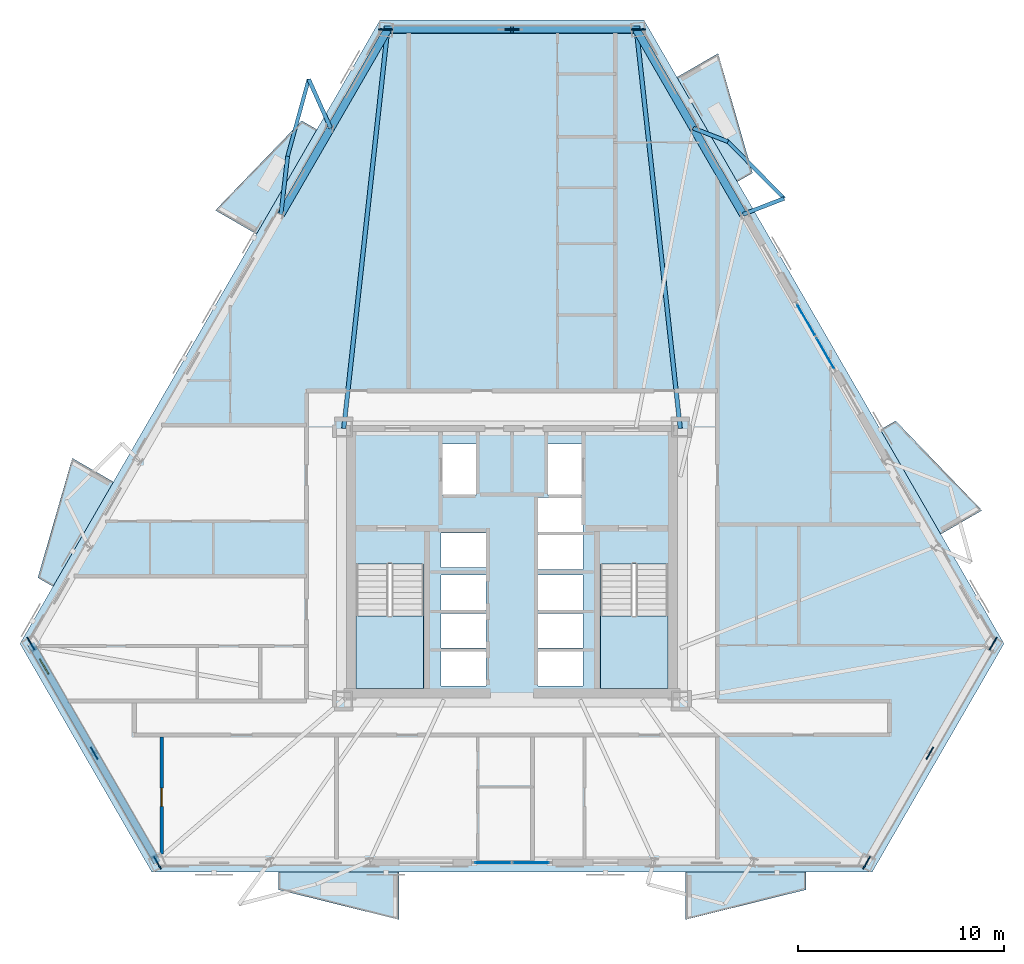
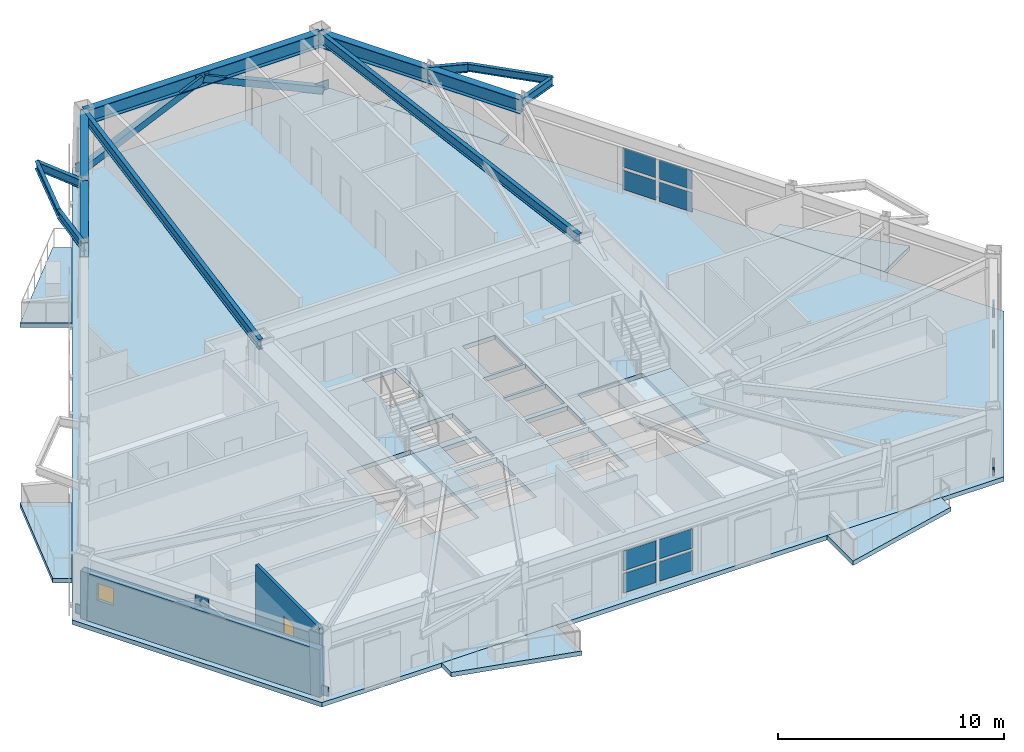
# One storey, part 6 of 15: 17 plates, 13 beams, 9 slabs, 2 members, 2 walls, 1 door, 1 window, 2 openings, 4 elements without a shape of their own.
"""IFC4 building model written with IfcOpenShell, lengths in metres."""

import ifcopenshell
import ifcopenshell.guid

model = None  # the IFC model being written
_history = None  # IfcOwnerHistory: only IFC2X3 demands one
_inside = {}  # id of a spatial element -> (the spatial element, [elements in it])
_under = {}  # id of a project, library or spatial element -> (it, [spatial elements below it])
_declared = {}  # id of a project -> (the project, [libraries it declares])
_typed = {}  # id of a type object -> (the type object, [elements of that type])
_made_of = {}  # id of a material, layer set ... -> (it, [elements and type objects made of it])


def new_model(schema):
    """Start an empty IFC model of exactly this schema.

    Asked for "IFC4X3", IfcOpenShell would pick the latest addendum, in which some entities
    have other attributes; the version numbers below select the first issue.
    IFC2X3 requires an IfcOwnerHistory on every rooted entity: one is made here for all.
    """
    global model, _history
    if schema == "IFC4X3":
        model = ifcopenshell.file(schema_version=(4, 3, 0, 0))
    else:
        model = ifcopenshell.file(schema=schema)
    _inside.clear()
    _under.clear()
    _declared.clear()
    _typed.clear()
    _made_of.clear()
    _history = None
    if model.schema == "IFC2X3":
        org = make("IfcOrganization", Name="unknown")
        user = make(
            "IfcPersonAndOrganization",
            ThePerson=make("IfcPerson", FamilyName="unknown"),
            TheOrganization=org,
        )
        app = make(
            "IfcApplication",
            ApplicationDeveloper=org,
            Version="unknown",
            ApplicationFullName="unknown",
            ApplicationIdentifier="unknown",
        )
        _history = make(
            "IfcOwnerHistory",
            OwningUser=user,
            OwningApplication=app,
            ChangeAction="ADDED",
            CreationDate=0,
        )
    return model


def make(cls, **values):
    """One entity of the class cls with the attributes given. An attribute that is None is left unset."""
    return model.create_entity(
        cls, **{name: value for name, value in values.items() if value is not None}
    )


def rooted(cls, **values):
    """An entity with a GlobalId (a new one), such as an element, a storey or a relation."""
    return make(cls, GlobalId=ifcopenshell.guid.new(), OwnerHistory=_history, **values)


def si_unit(unit_type, name, prefix=None):
    """IfcSIUnit, for example si_unit("LENGTHUNIT", "METRE", prefix="MILLI")."""
    return make("IfcSIUnit", UnitType=unit_type, Prefix=prefix, Name=name)


def assignment(units):
    """IfcUnitAssignment: the units of a project."""
    return None if units is None else make("IfcUnitAssignment", Units=units)


def point(xyz):
    """IfcCartesianPoint."""
    return None if xyz is None else make("IfcCartesianPoint", Coordinates=xyz)


def direction(xyz):
    """IfcDirection."""
    return None if xyz is None else make("IfcDirection", DirectionRatios=xyz)


def frame(location, z_axis=None, x_axis=None):
    """IfcAxis2Placement3D, a coordinate frame: its origin and axes. An axis left out is left unset."""
    return make(
        "IfcAxis2Placement3D",
        Location=point(location),
        Axis=direction(z_axis),
        RefDirection=direction(x_axis),
    )


def frame_2d(location, x_axis=None):
    """IfcAxis2Placement2D, a coordinate frame in the plane: its origin and x axis."""
    return make(
        "IfcAxis2Placement2D", Location=point(location), RefDirection=direction(x_axis)
    )


def origin():
    """The frame at (0, 0, 0) with its axes left unset."""
    return frame((0.0, 0.0, 0.0))


def origin_2d():
    """The frame at (0, 0) in the plane with its x axis left unset."""
    return frame_2d((0.0, 0.0))


def place(relative_to, where):
    """IfcLocalPlacement: puts the frame where relative to a parent placement (None: the world)."""
    return make(
        "IfcLocalPlacement", PlacementRelTo=relative_to, RelativePlacement=where
    )


def context(
    kind, dimensions, precision=None, world=None, true_north=None, identifier=None
):
    """IfcGeometricRepresentationContext, for example the 3D "Model" context."""
    return make(
        "IfcGeometricRepresentationContext",
        ContextIdentifier=identifier,
        ContextType=kind,
        CoordinateSpaceDimension=dimensions,
        Precision=precision,
        WorldCoordinateSystem=world,
        TrueNorth=true_north,
    )


def subcontext(parent, identifier, kind, view, scale=None):
    """IfcGeometricRepresentationSubContext, for example "Body" below "Model"."""
    return make(
        "IfcGeometricRepresentationSubContext",
        ContextIdentifier=identifier,
        ContextType=kind,
        ParentContext=parent,
        TargetScale=scale,
        TargetView=view,
    )


def project(units=None, contexts=None):
    """IfcProject with its units and contexts."""
    return rooted(
        "IfcProject",
        Name="project",
        RepresentationContexts=contexts,
        UnitsInContext=assignment(units),
    )


def spatial(cls, under=None, at=None, **own):
    """A site, building, storey or space (cls), placed at a placement, below another one or the project."""
    s = rooted(cls, ObjectPlacement=at, **own)
    if under is not None:
        _under.setdefault(under.id(), (under, []))[1].append(s)
    return s


def polyline(points):
    """IfcPolyline through the points."""
    return make("IfcPolyline", Points=[point(p) for p in points])


def profile(cls, at=None, kind="AREA", **sizes):
    """A parametric profile (cls). Its sizes go by their IFC names, for example OverallWidth=200.0."""
    return make(cls, ProfileType=kind, Position=at, **sizes)


def rectangle(**sizes):
    """IfcRectangleProfileDef."""
    return profile("IfcRectangleProfileDef", **sizes)


def hollow_rectangle(**sizes):
    """IfcRectangleHollowProfileDef."""
    return profile("IfcRectangleHollowProfileDef", **sizes)


def i_section(**sizes):
    """IfcIShapeProfileDef."""
    return profile("IfcIShapeProfileDef", **sizes)


def outline(outer, holes=None, kind="AREA"):
    """IfcArbitraryClosedProfileDef: a profile drawn as a closed curve; with holes, ...WithVoids."""
    if holes is None:
        return make("IfcArbitraryClosedProfileDef", ProfileType=kind, OuterCurve=outer)
    return make(
        "IfcArbitraryProfileDefWithVoids",
        ProfileType=kind,
        OuterCurve=outer,
        InnerCurves=holes,
    )


def extrude(swept, where, along, depth):
    """IfcExtrudedAreaSolid: the profile swept, set in the frame where, extruded along a direction by depth."""
    return make(
        "IfcExtrudedAreaSolid",
        SweptArea=swept,
        Position=where,
        ExtrudedDirection=direction(along),
        Depth=depth,
    )


def shape(context_of_items, identifier, shape_type, items):
    """IfcShapeRepresentation: the items that make up one representation, for example the "Body"."""
    return make(
        "IfcShapeRepresentation",
        ContextOfItems=context_of_items,
        RepresentationIdentifier=identifier,
        RepresentationType=shape_type,
        Items=items,
    )


def material(Name=None, Category=None):
    """IfcMaterial."""
    return make("IfcMaterial", Name=Name, Category=Category)


def layer(
    of_material, thickness, ventilated=None, Name=None, Category=None, Priority=None
):
    """IfcMaterialLayer: one layer of a wall or slab, of a material (None: an air gap)."""
    return make(
        "IfcMaterialLayer",
        Material=of_material,
        LayerThickness=thickness,
        IsVentilated=ventilated,
        Name=Name,
        Category=Category,
        Priority=Priority,
    )


def layer_set(layers, Name=None):
    """IfcMaterialLayerSet."""
    return make("IfcMaterialLayerSet", MaterialLayers=layers, LayerSetName=Name)


def material_profile(
    of_material, cross_section, Name=None, Category=None, Priority=None
):
    """IfcMaterialProfile: a cross section and its material."""
    return make(
        "IfcMaterialProfile",
        Name=Name,
        Material=of_material,
        Profile=cross_section,
        Priority=Priority,
        Category=Category,
    )


def profile_set(profiles, Name=None, composite=None):
    """IfcMaterialProfileSet."""
    return make(
        "IfcMaterialProfileSet",
        Name=Name,
        MaterialProfiles=profiles,
        CompositeProfile=composite,
    )


def made_of(thing, what):
    """Note that an element or type object is made of a material, layer set ...; save() writes the relation."""
    if what is not None:
        _made_of.setdefault(what.id(), (what, []))[1].append(thing)
    return thing


def type_object(cls, material=None, **own):
    """A type object (cls), such as IfcWallType, which elements share."""
    return made_of(rooted(cls, **own), material)


def element(
    cls,
    number,
    at=None,
    inside=None,
    cuts=None,
    type_object=None,
    material=None,
    context=None,
    identifier="Body",
    shape_type=None,
    held_by="IfcProductDefinitionShape",
    body=None,
    shapes=None,
    **own,
):
    """One element of the class cls, such as IfcWall. Its Tag is "e" and its number.

    at: its placement. inside: the storey or other place that contains it. cuts: it is an
    opening in that element (IfcRelVoidsElement). A single representation is given by context,
    identifier, shape_type and body (its items); several are given by shapes. held_by: the class
    of the entity that holds the representations. save() writes the other relations.
    """
    e = rooted(cls, Tag="e%d" % number, ObjectPlacement=at, **own)
    if body is not None:
        shapes = [shape(context, identifier, shape_type, body)]
    if shapes is not None:
        e.Representation = make(held_by, Representations=shapes)
    if inside is not None:
        _inside.setdefault(inside.id(), (inside, []))[1].append(e)
    if cuts is not None:
        rooted(
            "IfcRelVoidsElement", RelatingBuildingElement=cuts, RelatedOpeningElement=e
        )
    if type_object is not None:
        _typed.setdefault(type_object.id(), (type_object, []))[1].append(e)
    return made_of(e, material)


def fill(opening, filler):
    """IfcRelFillsElement: the door or window that sits in an opening."""
    return rooted(
        "IfcRelFillsElement",
        RelatingOpeningElement=opening,
        RelatedBuildingElement=filler,
    )


def aggregate(whole, parts):
    """IfcRelAggregates: a whole, such as a stair, and the parts it consists of."""
    return rooted("IfcRelAggregates", RelatingObject=whole, RelatedObjects=parts)


def save(model, path):
    """Write the relations noted so far, then the file.

    IfcRelAggregates (storeys below a building ...), IfcRelContainedInSpatialStructure (elements
    in a storey), IfcRelDefinesByType, IfcRelAssociatesMaterial and IfcRelDeclares: one each for
    every whole, place, type object, material and project.
    """
    for whole, parts in _under.values():
        aggregate(whole, parts)
    for where, things in _inside.values():
        rooted(
            "IfcRelContainedInSpatialStructure",
            RelatedElements=things,
            RelatingStructure=where,
        )
    for kind, things in _typed.values():
        rooted("IfcRelDefinesByType", RelatedObjects=things, RelatingType=kind)
    for what, things in _made_of.values():
        rooted("IfcRelAssociatesMaterial", RelatedObjects=things, RelatingMaterial=what)
    for by, libraries in _declared.values():
        rooted("IfcRelDeclares", RelatingContext=by, RelatedDefinitions=libraries)
    model.write(path)


model = new_model("IFC4")

# Units and contexts
model_context = context("Model", 3, precision=1e-05, world=origin(), true_north=direction((0.0, 1.0)))
body_context = subcontext(model_context, "Body", "Model", "MODEL_VIEW")
ifc_project = project(units=[si_unit("LENGTHUNIT", "METRE"), si_unit("AREAUNIT", "SQUARE_METRE"), si_unit("VOLUMEUNIT", "CUBIC_METRE"), si_unit("PLANEANGLEUNIT", "RADIAN"), si_unit("MASSUNIT", "GRAM", prefix="KILO")], contexts=[model_context])

# Site, building, storey
site_placement = place(None, origin())
site = spatial("IfcSite", under=ifc_project, at=site_placement, CompositionType="ELEMENT")
building_placement = place(site_placement, origin())
building = spatial("IfcBuilding", under=site, at=building_placement, Name="Oramaril Tower", CompositionType="ELEMENT")
storey_placement = place(building_placement, frame((0.0, 0.0, 93.300048828125)))
storey = spatial("IfcBuildingStorey", under=building, at=storey_placement, Name="L24", CompositionType="ELEMENT", Elevation=93.300048828125)

# Beams
ifc_material_1 = material(Name="Steel ASTM A572 Gr 50", Category="steel")
ifc_material_profile_1 = material_profile(ifc_material_1, i_section(OverallWidth=0.19091796875, OverallDepth=0.45703125, WebThickness=0.009033203125, FlangeThickness=0.014404296875, at=origin_2d()), Name="W18X50")
ifc_profile_set_1 = profile_set([ifc_material_profile_1], Name="Steel ASTM A572 Gr 50")
beam_type_1 = type_object("IfcBeamType", Name="BT-BB1", PredefinedType="BEAM", material=ifc_profile_set_1)
beam_1_placement = place(storey_placement, frame((48.693359375, 34.515380859375, 3.13134765625), z_axis=(0.932163537307, 0.362037483853, 0.0), x_axis=(-0.362037483853, 0.932163537307, 0.0)))
element("IfcBeam", 1, at=beam_1_placement, inside=storey, type_object=beam_type_1, Name="L24 Balcony Column-Framed Cantilever 04.1", PredefinedType="BEAM", context=body_context, shape_type="SweptSolid", body=[
    extrude(i_section(OverallWidth=0.19091796875, OverallDepth=0.45703125, WebThickness=0.009033203125, FlangeThickness=0.014404296875, at=origin_2d()), origin(), (0.0, 0.0, 1.0), 2.133056640625),
])
beam_2_placement = place(storey_placement, frame((46.28271484375, 38.690673828125, 3.13134765625), z_axis=(0.93238090203, -0.361477320906, 0.0), x_axis=(0.361477320906, 0.93238090203, 0.0)))
element("IfcBeam", 2, at=beam_2_placement, inside=storey, type_object=beam_type_1, Name="L24 Balcony Column-Framed Cantilever 04.2", PredefinedType="BEAM", context=body_context, shape_type="SweptSolid", body=[
    extrude(i_section(OverallWidth=0.19091796875, OverallDepth=0.45703125, WebThickness=0.009033203125, FlangeThickness=0.014404296875, at=origin_2d()), origin(), (0.0, 0.0, 1.0), 1.800048828125),
])
beam_3_placement = place(storey_placement, frame((28.71728515625, 38.690673828125, 3.13134765625), z_axis=(-0.409376697911, 0.91236545266, 0.0), x_axis=(-0.91236545266, -0.409376697911, 0.0)))
element("IfcBeam", 3, at=beam_3_placement, inside=storey, type_object=beam_type_1, Name="L24 Balcony Column-Framed Cantilever 05.1", PredefinedType="BEAM", context=body_context, shape_type="SweptSolid", body=[
    extrude(i_section(OverallWidth=0.19091796875, OverallDepth=0.45703125, WebThickness=0.009033203125, FlangeThickness=0.014404296875, at=origin_2d()), origin(), (0.0, 0.0, 1.0), 2.60009765625),
])
beam_4_placement = place(storey_placement, frame((26.306640625, 34.515380859375, 3.13134765625), z_axis=(0.113976637031, 0.993483430265, 0.0), x_axis=(-0.993483430265, 0.113976637031, 0.0)))
element("IfcBeam", 4, at=beam_4_placement, inside=storey, type_object=beam_type_1, Name="L24 Balcony Column-Framed Cantilever 05.2", PredefinedType="BEAM", context=body_context, shape_type="SweptSolid", body=[
    extrude(i_section(OverallWidth=0.19091796875, OverallDepth=0.45703125, WebThickness=0.009033203125, FlangeThickness=0.014404296875, at=origin_2d()), origin(), (0.0, 0.0, 1.0), 2.833984375),
])
ifc_material_2 = material(Name="Steel ASTM A572 Gr 50", Category="steel")
ifc_material_profile_2 = material_profile(ifc_material_2, i_section(OverallWidth=0.2099609375, OverallDepth=0.535888671875, WebThickness=0.010986328125, FlangeThickness=0.017333984375, at=origin_2d()), Name="W21X68")
ifc_profile_set_2 = profile_set([ifc_material_profile_2], Name="Steel ASTM A572 Gr 50")
beam_type_2 = type_object("IfcBeamType", Name="BT-FB2", PredefinedType="BEAM", material=ifc_profile_set_2)
for number, where, z_axis, x_axis, name in (
    (5, (45.64990234375, 24.14990234375, 3.092041015625), (-0.109223273959, 0.994017241513, 0.0), (-0.994017241513, -0.109223273959, 0.0), "L24 Radial Primary Beam RB-05"),
    (6, (29.35009765625, 24.14990234375, 3.092041015625), (0.109223273959, 0.994017241513, 0.0), (-0.994017241513, 0.109223273959, 0.0), "L24 Radial Primary Beam RB-06"),
):
    element("IfcBeam", number, at=place(storey_placement, frame(where, z_axis=z_axis, x_axis=x_axis)), inside=storey, type_object=beam_type_2, Name=name, PredefinedType="BEAM", context=body_context, shape_type="SweptSolid", body=[
        extrude(i_section(OverallWidth=0.2099609375, OverallDepth=0.535888671875, WebThickness=0.010986328125, FlangeThickness=0.017333984375, at=origin_2d()), origin(), (0.0, 0.0, 1.0), 19.4287109375),
    ])
ifc_material_3 = material(Name="Steel ASTM A572 Gr 50", Category="steel")
ifc_material_profile_3 = material_profile(ifc_material_3, i_section(OverallWidth=0.177978515625, OverallDepth=0.404052734375, WebThickness=0.007568359375, FlangeThickness=0.010986328125, at=origin_2d()), Name="W16X36")
ifc_profile_set_3 = profile_set([ifc_material_profile_3], Name="Steel ASTM A572 Gr 50")
beam_type_3 = type_object("IfcBeamType", Name="BT-SB1", PredefinedType="BEAM", material=ifc_profile_set_3)
beam_5_placement = place(storey_placement, frame((50.681640625, 35.28759765625, 3.157958984375), z_axis=(-0.702994511648, 0.71119527318, 0.0), x_axis=(-0.71119527318, -0.702994511648, 0.0)))
element("IfcBeam", 7, at=beam_5_placement, inside=storey, type_object=beam_type_3, Name="L24 Balcony Edge Tie Beam 04", PredefinedType="BEAM", context=body_context, shape_type="SweptSolid", body=[
    extrude(i_section(OverallWidth=0.177978515625, OverallDepth=0.404052734375, WebThickness=0.007568359375, FlangeThickness=0.010986328125, at=origin_2d()), origin(), (0.0, 0.0, 1.0), 3.8701171875),
])
beam_6_placement = place(storey_placement, frame((27.65283203125, 41.06298828125, 3.157958984375), z_axis=(-0.264398328629, -0.964413564721, 0.0), x_axis=(0.964413564721, -0.264398328629, 0.0)))
element("IfcBeam", 8, at=beam_6_placement, inside=storey, type_object=beam_type_3, Name="L24 Balcony Edge Tie Beam 05", PredefinedType="BEAM", context=body_context, shape_type="SweptSolid", body=[
    extrude(i_section(OverallWidth=0.177978515625, OverallDepth=0.404052734375, WebThickness=0.007568359375, FlangeThickness=0.010986328125, at=origin_2d()), origin(), (0.0, 0.0, 1.0), 3.869873046875),
])
ifc_material_4 = material(Name="Steel ASTM A572 Gr 50", Category="steel")
ifc_material_profile_4 = material_profile(ifc_material_4, i_section(OverallWidth=0.381103515625, OverallDepth=0.77197265625, WebThickness=0.0166015625, FlangeThickness=0.027099609375, at=origin_2d()), Name="W30X173")
ifc_profile_set_4 = profile_set([ifc_material_profile_4], Name="Steel ASTM A572 Gr 50")
beam_type_4 = type_object("IfcBeamType", Name="BT-SP2", PredefinedType="SPANDREL", material=ifc_profile_set_4)
beam_7_placement = place(storey_placement, frame((48.693359375, 34.515380859375, 2.973876953125), z_axis=(-0.500005913176, 0.866021989784, 0.0), x_axis=(-0.866021989784, -0.500005913176, 0.0)))
element("IfcBeam", 9, at=beam_7_placement, inside=storey, type_object=beam_type_4, Name="L24 Perimeter Spandrel 11", PredefinedType="SPANDREL", context=body_context, shape_type="SweptSolid", body=[
    extrude(i_section(OverallWidth=0.381103515625, OverallDepth=0.77197265625, WebThickness=0.0166015625, FlangeThickness=0.027099609375, at=origin_2d()), origin(), (0.0, 0.0, 1.0), 4.8212890625),
])
beam_8_placement = place(storey_placement, frame((46.28271484375, 38.690673828125, 2.973876953125), z_axis=(-0.499989664371, 0.86603137098, 0.0), x_axis=(-0.86603137098, -0.499989664371, 0.0)))
element("IfcBeam", 10, at=beam_8_placement, inside=storey, type_object=beam_type_4, Name="L24 Perimeter Spandrel 12", PredefinedType="SPANDREL", context=body_context, shape_type="SweptSolid", body=[
    extrude(i_section(OverallWidth=0.381103515625, OverallDepth=0.77197265625, WebThickness=0.0166015625, FlangeThickness=0.027099609375, at=origin_2d()), origin(), (0.0, 0.0, 1.0), 5.509765625),
])
beam_9_placement = place(storey_placement, frame((43.52783203125, 43.46240234375, 2.973876953125), z_axis=(-1.0, 0.0, 0.0), x_axis=(0.0, -1.0, 0.0)))
element("IfcBeam", 11, at=beam_9_placement, inside=storey, type_object=beam_type_4, Name="L24 Perimeter Spandrel 13", PredefinedType="SPANDREL", context=body_context, shape_type="SweptSolid", body=[
    extrude(i_section(OverallWidth=0.381103515625, OverallDepth=0.77197265625, WebThickness=0.0166015625, FlangeThickness=0.027099609375, at=origin_2d()), origin(), (0.0, 0.0, 1.0), 12.0556640625),
])
beam_10_placement = place(storey_placement, frame((31.47216796875, 43.46240234375, 2.973876953125), z_axis=(-0.499989664371, -0.86603137098, 0.0), x_axis=(0.86603137098, -0.499989664371, 0.0)))
element("IfcBeam", 12, at=beam_10_placement, inside=storey, type_object=beam_type_4, Name="L24 Perimeter Spandrel 14", PredefinedType="SPANDREL", context=body_context, shape_type="SweptSolid", body=[
    extrude(i_section(OverallWidth=0.381103515625, OverallDepth=0.77197265625, WebThickness=0.0166015625, FlangeThickness=0.027099609375, at=origin_2d()), origin(), (0.0, 0.0, 1.0), 5.509765625),
])
beam_11_placement = place(storey_placement, frame((28.71728515625, 38.690673828125, 2.973876953125), z_axis=(-0.500005913176, -0.866021989784, 0.0), x_axis=(0.866021989784, -0.500005913176, 0.0)))
element("IfcBeam", 13, at=beam_11_placement, inside=storey, type_object=beam_type_4, Name="L24 Perimeter Spandrel 15", PredefinedType="SPANDREL", context=body_context, shape_type="SweptSolid", body=[
    extrude(i_section(OverallWidth=0.381103515625, OverallDepth=0.77197265625, WebThickness=0.0166015625, FlangeThickness=0.027099609375, at=origin_2d()), origin(), (0.0, 0.0, 1.0), 4.8212890625),
])

# Members
ifc_material_5 = material(Name="Steel ASTM A572 Gr 50", Category="steel")
ifc_material_profile_5 = material_profile(ifc_material_5, hollow_rectangle(XDim=0.35009765625, YDim=0.35009765625, WallThickness=0.01611328125, at=origin_2d()), Name="HSS350X350X16")
ifc_profile_set_5 = profile_set([ifc_material_profile_5], Name="Steel ASTM A572 Gr 50")
member_type = type_object("IfcMemberType", Name="MT-KB1", PredefinedType="BRACE", material=ifc_profile_set_5)
for number, where, z_axis, x_axis, name in (
    (14, (43.624755859375, 43.4716796875, 0.179931640625), (-0.909807997201, 0.0, 0.415029406464), (0.0, -1.0, 0.0), "L24 Perimeter Chevron Brace KB-3A"),
    (15, (31.375244140625, 43.4716796875, 0.179931640625), (0.909807997201, 0.0, 0.415029406464), (0.0, 1.0, 0.0), "L24 Perimeter Chevron Brace KB-3B"),
):
    element("IfcMember", number, at=place(storey_placement, frame(where, z_axis=z_axis, x_axis=x_axis)), inside=storey, type_object=member_type, Name=name, PredefinedType="BRACE", context=body_context, shape_type="SweptSolid", body=[
        extrude(hollow_rectangle(XDim=0.35009765625, YDim=0.35009765625, WallThickness=0.01611328125, at=origin_2d()), origin(), (0.0, 0.0, 1.0), 6.73193359375),
    ])

# Curtain wall, plates
ifc_material_6 = material(Name="Anodised Aluminium 6063-T6", Category="aluminium")
ifc_layer_1 = layer(ifc_material_6, 0.179931640625)
ifc_layer_set_1 = layer_set([ifc_layer_1], Name="CWT-SYS3")
curtain_wall_type = type_object("IfcCurtainWallType", Name="CWT-SYS3", PredefinedType="NOTDEFINED", material=ifc_layer_set_1)
curtain_wall_1_placement = place(storey_placement, origin())
curtain_wall_1 = element("IfcCurtainWall", 16, at=curtain_wall_1_placement, inside=storey, type_object=curtain_wall_type, Name="L24 Unitised Curtain Wall CW-3", PredefinedType="NOTDEFINED")
ifc_material_7 = material(Name="Coastal Low-E Insulated Glass", Category="glass")
ifc_layer_2 = layer(ifc_material_7, 0.035888671875)
ifc_layer_set_2 = layer_set([ifc_layer_2], Name="PLT-CWP3")
plate_type_1 = type_object("IfcPlateType", Name="PLT-CWP3", PredefinedType="CURTAIN_PANEL", material=ifc_layer_set_2)
plate_1_placement = place(storey_placement, frame((36.570068359375, 3.110107421875, 0.16015625), z_axis=(0.0, 0.0, 1.0), x_axis=(1.0, 0.0, 0.0)))
plate_1 = element("IfcPlate", 17, at=plate_1_placement, type_object=plate_type_1, Name="CW-3 panel 1.1", PredefinedType="CURTAIN_PANEL", context=body_context, shape_type="SweptSolid", body=[
    extrude(rectangle(XDim=1.679931640625, YDim=0.035888671875, at=origin_2d()), origin(), (0.0, 0.0, 1.0), 1.049072265625),
])
plate_2_placement = place(storey_placement, frame((36.570068359375, 3.110107421875, 1.369140625), z_axis=(0.0, 0.0, 1.0), x_axis=(1.0, 0.0, 0.0)))
plate_2 = element("IfcPlate", 18, at=plate_2_placement, type_object=plate_type_1, Name="CW-3 panel 1.2", PredefinedType="CURTAIN_PANEL", context=body_context, shape_type="SweptSolid", body=[
    extrude(rectangle(XDim=1.679931640625, YDim=0.035888671875, at=origin_2d()), origin(), (0.0, 0.0, 1.0), 1.049072265625),
])
plate_3_placement = place(storey_placement, frame((38.429931640625, 3.110107421875, 0.16015625), z_axis=(0.0, 0.0, 1.0), x_axis=(1.0, 0.0, 0.0)))
plate_3 = element("IfcPlate", 19, at=plate_3_placement, type_object=plate_type_1, Name="CW-3 panel 2.1", PredefinedType="CURTAIN_PANEL", context=body_context, shape_type="SweptSolid", body=[
    extrude(rectangle(XDim=1.679931640625, YDim=0.035888671875, at=origin_2d()), origin(), (0.0, 0.0, 1.0), 1.049072265625),
])
plate_4_placement = place(storey_placement, frame((38.429931640625, 3.110107421875, 1.369140625), z_axis=(0.0, 0.0, 1.0), x_axis=(1.0, 0.0, 0.0)))
plate_4 = element("IfcPlate", 20, at=plate_4_placement, type_object=plate_type_1, Name="CW-3 panel 2.2", PredefinedType="CURTAIN_PANEL", context=body_context, shape_type="SweptSolid", body=[
    extrude(rectangle(XDim=1.679931640625, YDim=0.035888671875, at=origin_2d()), origin(), (0.0, 0.0, 1.0), 1.049072265625),
])
aggregate(curtain_wall_1, [plate_1, plate_2, plate_3, plate_4])

curtain_wall_2_placement = place(storey_placement, origin())
curtain_wall_2 = element("IfcCurtainWall", 21, at=curtain_wall_2_placement, inside=storey, type_object=curtain_wall_type, Name="L24 Unitised Curtain Wall CW-3", PredefinedType="NOTDEFINED")
plate_5_placement = place(storey_placement, frame((52.6787109375, 27.78955078125, 0.16015625), z_axis=(0.0, 0.0, 1.0), x_axis=(-0.499999897278, 0.866025463091, 0.0)))
plate_5 = element("IfcPlate", 22, at=plate_5_placement, type_object=plate_type_1, Name="CW-3 panel 1.1", PredefinedType="CURTAIN_PANEL", context=body_context, shape_type="SweptSolid", body=[
    extrude(rectangle(XDim=1.679931640625, YDim=0.035888671875, at=origin_2d()), origin(), (0.0, 0.0, 1.0), 1.049072265625),
])
plate_6_placement = place(storey_placement, frame((52.6787109375, 27.78955078125, 1.369140625), z_axis=(0.0, 0.0, 1.0), x_axis=(-0.499999897278, 0.866025463091, 0.0)))
plate_6 = element("IfcPlate", 23, at=plate_6_placement, type_object=plate_type_1, Name="CW-3 panel 1.2", PredefinedType="CURTAIN_PANEL", context=body_context, shape_type="SweptSolid", body=[
    extrude(rectangle(XDim=1.679931640625, YDim=0.035888671875, at=origin_2d()), origin(), (0.0, 0.0, 1.0), 1.049072265625),
])
plate_7_placement = place(storey_placement, frame((51.748779296875, 29.400390625, 0.16015625), z_axis=(0.0, 0.0, 1.0), x_axis=(-0.499999897278, 0.866025463091, 0.0)))
plate_7 = element("IfcPlate", 24, at=plate_7_placement, type_object=plate_type_1, Name="CW-3 panel 2.1", PredefinedType="CURTAIN_PANEL", context=body_context, shape_type="SweptSolid", body=[
    extrude(rectangle(XDim=1.679931640625, YDim=0.035888671875, at=origin_2d()), origin(), (0.0, 0.0, 1.0), 1.049072265625),
])
plate_8_placement = place(storey_placement, frame((51.748779296875, 29.400390625, 1.369140625), z_axis=(0.0, 0.0, 1.0), x_axis=(-0.499999897278, 0.866025463091, 0.0)))
plate_8 = element("IfcPlate", 25, at=plate_8_placement, type_object=plate_type_1, Name="CW-3 panel 2.2", PredefinedType="CURTAIN_PANEL", context=body_context, shape_type="SweptSolid", body=[
    extrude(rectangle(XDim=1.679931640625, YDim=0.035888671875, at=origin_2d()), origin(), (0.0, 0.0, 1.0), 1.049072265625),
])
aggregate(curtain_wall_2, [plate_5, plate_6, plate_7, plate_8])

# Plates
ifc_material_8 = material(Name="Steel ASTM A572 Gr 50", Category="steel")
ifc_layer_3 = layer(ifc_material_8, 0.06005859375)
ifc_layer_set_3 = layer_set([ifc_layer_3], Name="PLT-G60")
plate_type_2 = type_object("IfcPlateType", Name="PLT-G60", PredefinedType="USERDEFINED", material=ifc_layer_set_3)
for number, where, z_axis, x_axis, name in (
    (26, (17.259521484375, 8.4140625, 2.73388671875), (0.0, 0.0, 1.0), (0.5, -0.866025403784, 0.0), "L24 Chevron Brace Gusset Plate BN-1"),
    (27, (14.197265625, 13.71826171875, 0.099853515625), (0.0, 0.0, 1.0), (0.5, -0.866025403784, 0.0), "L24 Chevron Brace Gusset Plate BN-1"),
    (28, (20.322021484375, 3.110107421875, 0.099853515625), (0.0, 0.0, 1.0), (0.5, -0.866025403784, 0.0), "L24 Chevron Brace Gusset Plate BN-1"),
    (29, (57.740478515625, 8.4140625, 2.73388671875), (0.0, 0.0, 1.0), (0.5, 0.866025403784, 0.0), "L24 Chevron Brace Gusset Plate BN-1"),
    (30, (54.677978515625, 3.110107421875, 0.099853515625), (0.0, 0.0, 1.0), (0.5, 0.866025403784, 0.0), "L24 Chevron Brace Gusset Plate BN-1"),
    (31, (60.802734375, 13.71826171875, 0.099853515625), (0.0, 0.0, 1.0), (0.5, 0.866025403784, 0.0), "L24 Chevron Brace Gusset Plate BN-1"),
    (32, (37.5, 43.4716796875, 2.73388671875), (0.0, 0.0, 1.0), (-1.0, 0.0, 0.0), "L24 Chevron Brace Gusset Plate BN-1"),
    (33, (43.624755859375, 43.4716796875, 0.099853515625), (0.0, 0.0, 1.0), (-1.0, 0.0, 0.0), "L24 Chevron Brace Gusset Plate BN-1"),
    (34, (31.375244140625, 43.4716796875, 0.099853515625), (0.0, 0.0, 1.0), (-1.0, 0.0, 0.0), "L24 Chevron Brace Gusset Plate BN-1"),
):
    element("IfcPlate", number, at=place(storey_placement, frame(where, z_axis=z_axis, x_axis=x_axis)), inside=storey, type_object=plate_type_2, Name=name, ObjectType="GUSSET", PredefinedType="USERDEFINED", context=body_context, shape_type="SweptSolid", body=[
        extrude(rectangle(XDim=0.679931640625, YDim=0.06005859375, at=origin_2d()), origin(), (0.0, 0.0, 1.0), 0.47998046875),
    ])

# Slabs
ifc_material_9 = material(Name="Concrete C40/50", Category="concrete")
ifc_layer_4 = layer(ifc_material_9, 0.199951171875)
ifc_layer_set_4 = layer_set([ifc_layer_4], Name="SLT-BAL20")
slab_type_1 = type_object("IfcSlabType", Name="SLT-BAL20", PredefinedType="FLOOR", material=ifc_layer_set_4)
slab_1_placement = place(storey_placement, frame((0.0, 0.0, -0.239990234375)))
element("IfcSlab", 35, at=slab_1_placement, inside=storey, type_object=slab_type_1, Name="L24 Cantilevered Balcony Slab L24-BAL-S2", PredefinedType="FLOOR", context=body_context, shape_type="SweptSolid", body=[
    extrude(outline(polyline([(45.893798828125, 2.652099609375), (51.74365234375, 2.652099609375), (51.74365234375, 1.800048828125), (45.893798828125, 0.35009765625), (45.893798828125, 2.652099609375)])), origin(), (0.0, 0.0, 1.0), 0.239990234375),
])
slab_2_placement = place(storey_placement, frame((0.0, 0.0, -0.239990234375)))
element("IfcSlab", 36, at=slab_2_placement, inside=storey, type_object=slab_type_1, Name="L24 Cantilevered Balcony Slab L24-BAL-NE1", PredefinedType="FLOOR", context=body_context, shape_type="SweptSolid", body=[
    extrude(outline(polyline([(58.269775390625, 19.021728515625), (55.3447265625, 24.087890625), (56.08251953125, 24.513916015625), (60.263427734375, 20.172607421875), (58.269775390625, 19.021728515625)])), origin(), (0.0, 0.0, 1.0), 0.239990234375),
])
slab_3_placement = place(storey_placement, frame((0.0, 0.0, -0.239990234375)))
element("IfcSlab", 37, at=slab_3_placement, inside=storey, type_object=slab_type_1, Name="L24 Cantilevered Balcony Slab L24-BAL-NW2", PredefinedType="FLOOR", context=body_context, shape_type="SweptSolid", body=[
    extrude(outline(polyline([(18.192626953125, 21.5546875), (15.267578125, 16.488525390625), (14.52978515625, 16.91455078125), (16.19921875, 22.705810546875), (18.192626953125, 21.5546875)])), origin(), (0.0, 0.0, 1.0), 0.239990234375),
])
ifc_material_10 = material(Name="Concrete C50/60", Category="concrete")
ifc_layer_5 = layer(ifc_material_10, 0.239990234375)
ifc_layer_set_5 = layer_set([ifc_layer_5], Name="SLT-FLR24")
slab_type_2 = type_object("IfcSlabType", Name="SLT-FLR24", PredefinedType="FLOOR", material=ifc_layer_set_5)
slab_4_placement = place(storey_placement, frame((0.0, 0.0, -0.239990234375)))
element("IfcSlab", 38, at=slab_4_placement, inside=storey, type_object=slab_type_2, Name="L24 Structural Floor Slab", PredefinedType="FLOOR", context=body_context, shape_type="SweptSolid", body=[
    extrude(outline(polyline([(13.666015625, 13.71826171875), (20.056396484375, 2.64990234375), (54.943603515625, 2.64990234375), (61.333984375, 13.71826171875), (43.890380859375, 43.931640625), (31.109619140625, 43.931640625), (13.666015625, 13.71826171875)]), holes=[polyline([(29.949951171875, 17.58935546875), (29.949951171875, 11.550048828125), (33.219970703125, 11.550048828125), (33.219970703125, 17.58935546875), (29.949951171875, 17.58935546875)]), polyline([(41.780029296875, 17.58935546875), (41.780029296875, 11.550048828125), (45.050048828125, 11.550048828125), (45.050048828125, 17.58935546875), (41.780029296875, 17.58935546875)]), polyline([(34.110107421875, 20.909912109375), (35.7900390625, 20.909912109375), (35.7900390625, 23.389892578125), (34.110107421875, 23.389892578125), (34.110107421875, 20.909912109375)]), polyline([(39.2099609375, 20.909912109375), (40.889892578125, 20.909912109375), (40.889892578125, 23.389892578125), (39.2099609375, 23.389892578125), (39.2099609375, 20.909912109375)]), polyline([(34.06005859375, 11.659912109375), (36.239990234375, 11.659912109375), (36.239990234375, 13.340087890625), (34.06005859375, 13.340087890625), (34.06005859375, 11.659912109375)]), polyline([(34.06005859375, 13.510009765625), (36.239990234375, 13.510009765625), (36.239990234375, 15.18994140625), (34.06005859375, 15.18994140625), (34.06005859375, 13.510009765625)]), polyline([(34.06005859375, 15.360107421875), (36.239990234375, 15.360107421875), (36.239990234375, 17.0400390625), (34.06005859375, 17.0400390625), (34.06005859375, 15.360107421875)]), polyline([(38.760009765625, 11.659912109375), (40.93994140625, 11.659912109375), (40.93994140625, 13.340087890625), (38.760009765625, 13.340087890625), (38.760009765625, 11.659912109375)]), polyline([(38.760009765625, 13.510009765625), (40.93994140625, 13.510009765625), (40.93994140625, 15.18994140625), (38.760009765625, 15.18994140625), (38.760009765625, 13.510009765625)]), polyline([(38.760009765625, 15.360107421875), (40.93994140625, 15.360107421875), (40.93994140625, 17.0400390625), (38.760009765625, 17.0400390625), (38.760009765625, 15.360107421875)]), polyline([(34.06005859375, 17.409912109375), (36.239990234375, 17.409912109375), (36.239990234375, 19.090087890625), (34.06005859375, 19.090087890625), (34.06005859375, 17.409912109375)]), polyline([(38.760009765625, 17.31005859375), (40.93994140625, 17.31005859375), (40.93994140625, 18.989990234375), (38.760009765625, 18.989990234375), (38.760009765625, 17.31005859375)]), polyline([(38.760009765625, 19.110107421875), (40.93994140625, 19.110107421875), (40.93994140625, 20.7900390625), (38.760009765625, 20.7900390625), (38.760009765625, 19.110107421875)])]), origin(), (0.0, 0.0, 1.0), 0.239990234375),
])

# Stair, slab
ifc_material_11 = material(Name="Concrete C50/60", Category="concrete")
stair_type = type_object("IfcStairType", Name="STT-DG-3600", PredefinedType="HALF_TURN_STAIR", material=ifc_material_11)
stair_1_placement = place(storey_placement, origin())
stair_1 = element("IfcStair", 39, at=stair_1_placement, inside=storey, type_object=stair_type, Name="L24 Protected PFP Exit Stair ST-1", PredefinedType="HALF_TURN_STAIR")
ifc_material_12 = material(Name="Concrete C50/60", Category="concrete")
ifc_layer_6 = layer(ifc_material_12, 0.199951171875)
ifc_layer_set_6 = layer_set([ifc_layer_6], Name="SLT-LND20")
slab_type_3 = type_object("IfcSlabType", Name="SLT-LND20", PredefinedType="LANDING", material=ifc_layer_set_6)
slab_5_placement = place(storey_placement, frame((0.0, 0.0, 1.599853515625)))
slab_5 = element("IfcSlab", 40, at=slab_5_placement, type_object=slab_type_3, Name="ST-1 landing 1", PredefinedType="LANDING", context=body_context, shape_type="SweptSolid", body=[
    extrude(outline(polyline([(29.949951171875, 15.070068359375), (29.949951171875, 11.550048828125), (33.219970703125, 11.550048828125), (33.219970703125, 15.070068359375), (29.949951171875, 15.070068359375)])), origin(), (0.0, 0.0, 1.0), 0.2001953125),
])
aggregate(stair_1, [slab_5])

stair_2_placement = place(storey_placement, origin())
stair_2 = element("IfcStair", 41, at=stair_2_placement, inside=storey, type_object=stair_type, Name="L24 Protected PFP Exit Stair ST-2", PredefinedType="HALF_TURN_STAIR")
slab_6_placement = place(storey_placement, frame((0.0, 0.0, 1.599853515625)))
slab_6 = element("IfcSlab", 42, at=slab_6_placement, type_object=slab_type_3, Name="ST-2 landing 1", PredefinedType="LANDING", context=body_context, shape_type="SweptSolid", body=[
    extrude(outline(polyline([(41.780029296875, 15.070068359375), (41.780029296875, 11.550048828125), (45.050048828125, 11.550048828125), (45.050048828125, 15.070068359375), (41.780029296875, 15.070068359375)])), origin(), (0.0, 0.0, 1.0), 0.2001953125),
])
aggregate(stair_2, [slab_6])

# Slabs
ifc_material_13 = material(Name="Concrete C40/50", Category="concrete")
ifc_layer_7 = layer(ifc_material_13, 0.18994140625)
ifc_layer_set_7 = layer_set([ifc_layer_7], Name="SLT-PLN19")
slab_type_4 = type_object("IfcSlabType", Name="SLT-PLN19", PredefinedType="FLOOR", material=ifc_layer_set_7)
slab_7_placement = place(storey_placement, frame((0.0, 0.0, -0.239990234375)))
element("IfcSlab", 43, at=slab_7_placement, inside=storey, type_object=slab_type_4, Name="L24 Tree Planter Balcony Slab L24-BAL-S1", PredefinedType="FLOOR", context=body_context, shape_type="SweptSolid", body=[
    extrude(outline(polyline([(26.181396484375, 2.652099609375), (32.03125, 2.652099609375), (32.03125, 0.35009765625), (26.181396484375, 1.800048828125), (26.181396484375, 2.652099609375)])), origin(), (0.0, 0.0, 1.0), 0.239990234375),
])
slab_8_placement = place(storey_placement, frame((0.0, 0.0, -0.239990234375)))
element("IfcSlab", 44, at=slab_8_placement, inside=storey, type_object=slab_type_4, Name="L24 Tree Planter Balcony Slab L24-BAL-NE2", PredefinedType="FLOOR", context=body_context, shape_type="SweptSolid", body=[
    extrude(outline(polyline([(48.41357421875, 36.09326171875), (45.488525390625, 41.159423828125), (47.482177734375, 42.310302734375), (49.1513671875, 36.519287109375), (48.41357421875, 36.09326171875)])), origin(), (0.0, 0.0, 1.0), 0.239990234375),
])
slab_9_placement = place(storey_placement, frame((0.0, 0.0, -0.239990234375)))
element("IfcSlab", 45, at=slab_9_placement, inside=storey, type_object=slab_type_4, Name="L24 Tree Planter Balcony Slab L24-BAL-NW1", PredefinedType="FLOOR", context=body_context, shape_type="SweptSolid", body=[
    extrude(outline(polyline([(28.048828125, 38.626220703125), (25.123779296875, 33.56005859375), (23.13037109375, 34.7109375), (27.31103515625, 39.05224609375), (28.048828125, 38.626220703125)])), origin(), (0.0, 0.0, 1.0), 0.239990234375),
])

# Wall, opening, window
ifc_material_14 = material(Name="Warm Cream Limestone", Category="masonry")
ifc_layer_8 = layer(ifc_material_14, 0.340087890625)
ifc_layer_set_8 = layer_set([ifc_layer_8], Name="WT-EXT34")
wall_type_1 = type_object("IfcWallType", Name="WT-EXT34", PredefinedType="SOLIDWALL", material=ifc_layer_set_8)
wall_1_placement = place(storey_placement, frame((14.197265625, 13.71826171875, 0.0), z_axis=(0.0, 0.0, 1.0), x_axis=(0.500008273126, -0.86602062724, 0.0)))
wall_1 = element("IfcWall", 46, at=wall_1_placement, inside=storey, type_object=wall_type_1, Name="L24 Tower Limestone Facade Wall 1M", PredefinedType="SOLIDWALL", context=body_context, shape_type="SweptSolid", body=[
    extrude(rectangle(XDim=12.249267578125, YDim=0.340087890625, at=frame_2d((6.12451171875, 0.0))), origin(), (0.0, 0.0, 1.0), 2.577880859375),
])
opening_1_placement = place(wall_1_placement, frame((0.85205078125, 0.0, 1.280029296875)))
opening_1 = element("IfcOpeningElement", 47, at=opening_1_placement, cuts=wall_1, Name="Opening WN-13", PredefinedType="OPENING", context=body_context, shape_type="SweptSolid", body=[
    extrude(rectangle(XDim=0.85009765625, YDim=0.919921875, at=frame_2d((0.425048828125, 0.4599609375))), frame((0.0, 0.169921875, 0.0), z_axis=(0.0, -1.0, 0.0), x_axis=(1.0, 0.0, 0.0)), (0.0, 0.0, 1.0), 0.340087890625),
])
ifc_material_15 = material(Name="Coastal Low-E Insulated Glass", Category="glass")
window_type = type_object("IfcWindowType", Name="WNT-13", PartitioningType="SINGLE_PANEL", PredefinedType="WINDOW", material=ifc_material_15)
window_placement = place(opening_1_placement, origin())
window = element("IfcWindow", 48, at=window_placement, inside=storey, type_object=window_type, Name="L24 Apartment Bedroom Window WN-13", OverallHeight=0.919921875, OverallWidth=0.85009765625, PartitioningType="SINGLE_PANEL", PredefinedType="WINDOW", context=body_context, shape_type="SweptSolid", body=[
    extrude(rectangle(XDim=0.85009765625, YDim=0.919921875, at=frame_2d((0.425048828125, 0.4599609375))), frame((0.0, 0.030029296875, 0.0), z_axis=(0.0, -1.0, 0.0), x_axis=(1.0, 0.0, 0.0)), (0.0, 0.0, 1.0), 0.06005859375),
])
fill(opening_1, window)

# Wall, opening, door
ifc_material_16 = material(Name="Acoustic Gypsum Board Partition")
ifc_layer_9 = layer(ifc_material_16, 0.159912109375)
ifc_layer_set_9 = layer_set([ifc_layer_9], Name="WT-PT16")
wall_type_2 = type_object("IfcWallType", Name="WT-PT16", PredefinedType="PARTITIONING", material=ifc_layer_set_9)
wall_2_placement = place(storey_placement, frame((20.530029296875, 3.519287109375, 0.0), z_axis=(0.0, 0.0, 1.0), x_axis=(0.0, 1.0, 0.0)))
wall_2 = element("IfcWall", 49, at=wall_2_placement, inside=storey, type_object=wall_type_2, Name="L24 Interior Partition PT-16", PredefinedType="PARTITIONING", context=body_context, shape_type="SweptSolid", body=[
    extrude(rectangle(XDim=5.6767578125, YDim=0.159912109375, at=frame_2d((2.83837890625, 0.0))), origin(), (0.0, 0.0, 1.0), 3.35986328125),
])
opening_2_placement = place(wall_2_placement, frame((2.32080078125, 0.0, 0.0)))
opening_2 = element("IfcOpeningElement", 50, at=opening_2_placement, cuts=wall_2, Name="Opening D-L24-18", PredefinedType="OPENING", context=body_context, shape_type="SweptSolid", body=[
    extrude(rectangle(XDim=0.8798828125, YDim=2.080078125, at=frame_2d((0.43994140625, 1.0400390625))), frame((0.0, 0.080078125, 0.0), z_axis=(0.0, -1.0, 0.0), x_axis=(1.0, 0.0, 0.0)), (0.0, 0.0, 1.0), 0.159912109375),
])
ifc_material_17 = material(Name="FSC Brazilian Freijo Hardwood", Category="wood")
door_type = type_object("IfcDoorType", Name="DT-BATH", OperationType="NOTDEFINED", PredefinedType="DOOR", material=ifc_material_17)
door_placement = place(opening_2_placement, origin())
door = element("IfcDoor", 51, at=door_placement, inside=storey, type_object=door_type, Name="L24 Flat L24-U1 Bathroom Door D-L24-18", OperationType="SINGLE_SWING_RIGHT", OverallHeight=2.080078125, OverallWidth=0.8798828125, PredefinedType="DOOR", context=body_context, shape_type="SweptSolid", body=[
    extrude(rectangle(XDim=0.8798828125, YDim=2.080078125, at=frame_2d((0.43994140625, 1.0400390625))), frame((0.0, 0.02490234375, 0.0), z_axis=(0.0, -1.0, 0.0), x_axis=(1.0, 0.0, 0.0)), (0.0, 0.0, 1.0), 0.050048828125),
])
fill(opening_2, door)

save(model, "model.ifc")
